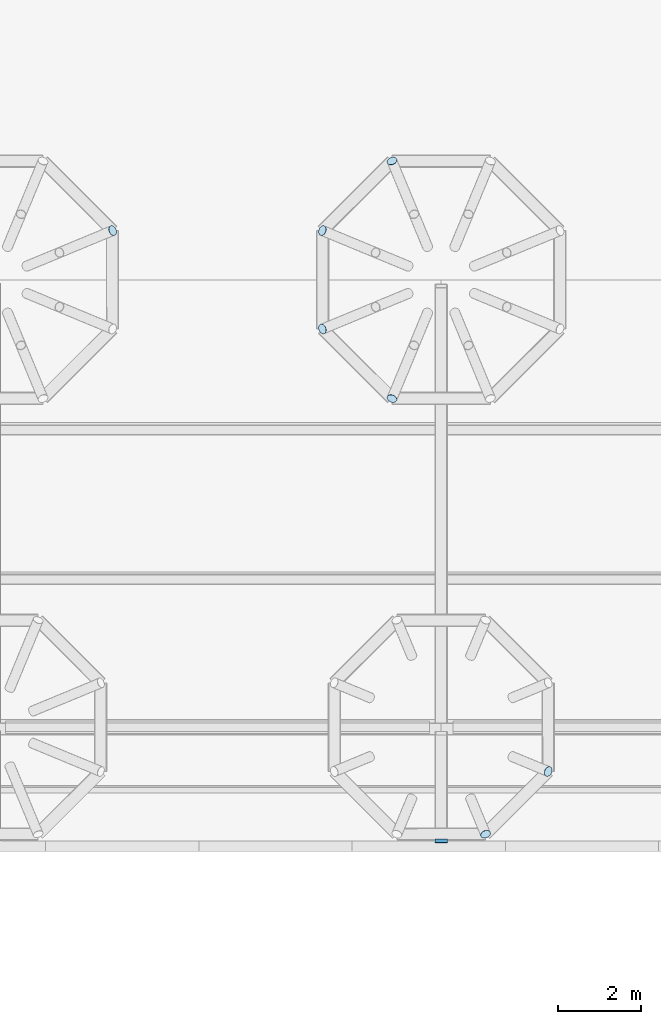
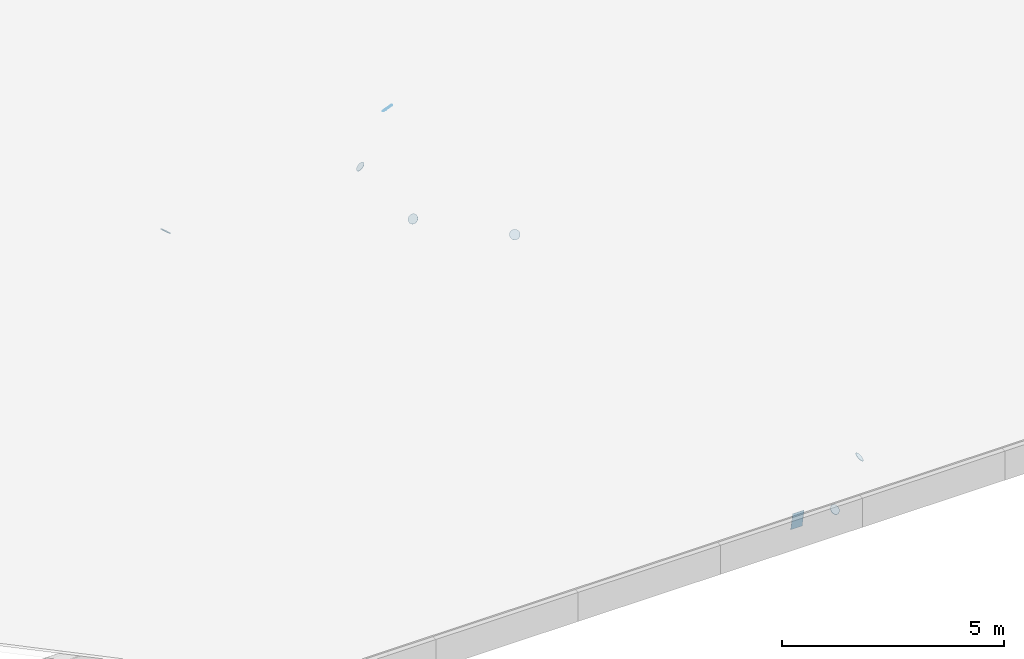
# One storey, part 36 of 56: 8 plates.
"""IFC4 building model written with IfcOpenShell, lengths in metres."""

from ifc_helpers import new_model, si_unit, direction, frame, origin, origin_2d, place, context, subcontext, project, spatial, rectangle, circle, extrude, material, material_profile, profile_set, type_object, element, save


model = new_model("IFC4")

# Units and contexts
model_context = context("Model", 3, precision=1e-05, world=origin(), true_north=direction((0.0, 1.0)))
body_context = subcontext(model_context, "Body", "Model", "MODEL_VIEW")
ifc_project = project(units=[si_unit("LENGTHUNIT", "METRE"), si_unit("AREAUNIT", "SQUARE_METRE"), si_unit("VOLUMEUNIT", "CUBIC_METRE"), si_unit("PLANEANGLEUNIT", "RADIAN"), si_unit("MASSUNIT", "GRAM", prefix="KILO")], contexts=[model_context])

# Site, building, storey
site_placement = place(None, origin())
site = spatial("IfcSite", under=ifc_project, at=site_placement, CompositionType="ELEMENT")
building_placement = place(site_placement, origin())
building = spatial("IfcBuilding", under=site, at=building_placement, Name="Magnolia Steps Interchange", CompositionType="ELEMENT")
storey_placement = place(building_placement, frame((0.0, 0.0, 8.699951171875)))
storey = spatial("IfcBuildingStorey", under=building, at=storey_placement, Name="L02", CompositionType="ELEMENT", Elevation=8.699951171875)

# Plates
ifc_material_1 = material(Name="Steel Q355B", Category="steel")
ifc_material_profile_1 = material_profile(ifc_material_1, circle(Radius=0.12255859375, at=origin_2d()), Name="End plate CHS245x12")
ifc_profile_set_1 = profile_set([ifc_material_profile_1], Name="Steel Q355B")
plate_type_1 = type_object("IfcPlateType", Name="End plate CHS245x12", PredefinedType="SHEET", material=ifc_profile_set_1)
for number, where, z_axis, x_axis, name in (
    (1, (66.864013671875, 54.38623046875, 3.2744140625), (0.664583318381, 0.275279424158, 0.694658370398), (-0.382683432789, 0.923879532336, 0.0), "End plate Tree rib"),
    (2, (75.86865234375, 39.820068359375, 1.298828125), (0.275279424158, -0.664583318381, 0.694658370398), (0.923879532336, 0.382683432789, 0.0), "End plate Tree rib"),
    (3, (77.3798828125, 41.331298828125, 1.298828125), (0.664583318381, -0.275279424158, 0.694658370398), (0.382683432789, 0.923879532336, 0.0), "End plate Tree rib"),
    (4, (73.61376953125, 56.06396484375, 3.2744140625), (-0.275279424158, 0.664583318381, 0.694658370398), (-0.923879532336, -0.382683432789, 0.0), "End plate Tree rib"),
    (5, (71.93603515625, 54.38623046875, 3.2744140625), (-0.664583318381, 0.275279424158, 0.694658370398), (-0.382683432789, -0.923879532336, 0.0), "End plate Tree rib"),
    (6, (71.93603515625, 52.013671875, 3.2744140625), (-0.664583318381, -0.275279424158, 0.694658370398), (0.382683432789, -0.923879532336, 0.0), "End plate Tree rib"),
    (7, (73.61376953125, 50.3359375, 3.2744140625), (-0.275279424158, -0.664583318381, 0.694658370398), (0.923879532336, -0.382683432789, 0.0), "End plate Tree rib"),
):
    element("IfcPlate", number, at=place(storey_placement, frame(where, z_axis=z_axis, x_axis=x_axis)), inside=storey, type_object=plate_type_1, Name=name, PredefinedType="SHEET", context=body_context, shape_type="SweptSolid", body=[
        extrude(circle(Radius=0.12255859375, at=origin_2d()), origin(), (0.0, 0.0, 1.0), 0.008056640625),
    ])
ifc_material_2 = material(Name="Steel Q355B", Category="steel")
ifc_material_profile_2 = material_profile(ifc_material_2, rectangle(XDim=0.300048828125, YDim=0.5, at=origin_2d()), Name="End plate RHS500x300x16")
ifc_profile_set_2 = profile_set([ifc_material_profile_2], Name="Steel Q355B")
plate_type_2 = type_object("IfcPlateType", Name="End plate RHS500x300x16", PredefinedType="SHEET", material=ifc_profile_set_2)
plate_placement = place(storey_placement, frame((74.800048828125, 39.659912109375, 1.491943359375), z_axis=(0.0, -0.983682817222, -0.179911409041), x_axis=(1.0, 0.0, 0.0)))
element("IfcPlate", 8, at=plate_placement, inside=storey, type_object=plate_type_2, Name="End plate Roof beam", PredefinedType="SHEET", context=body_context, shape_type="SweptSolid", body=[
    extrude(rectangle(XDim=0.300048828125, YDim=0.5, at=origin_2d()), origin(), (0.0, 0.0, 1.0), 0.008056640625),
])

save(model, "model.ifc")
